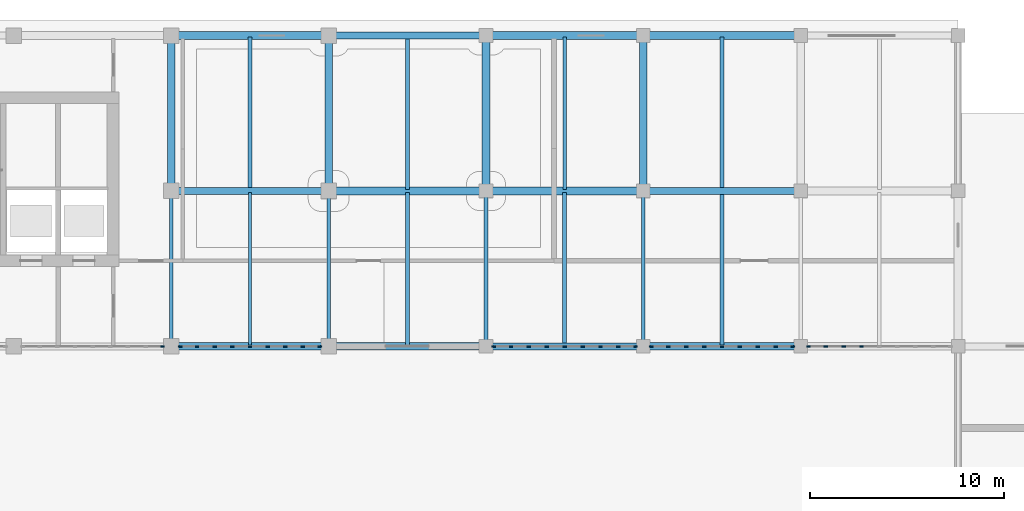
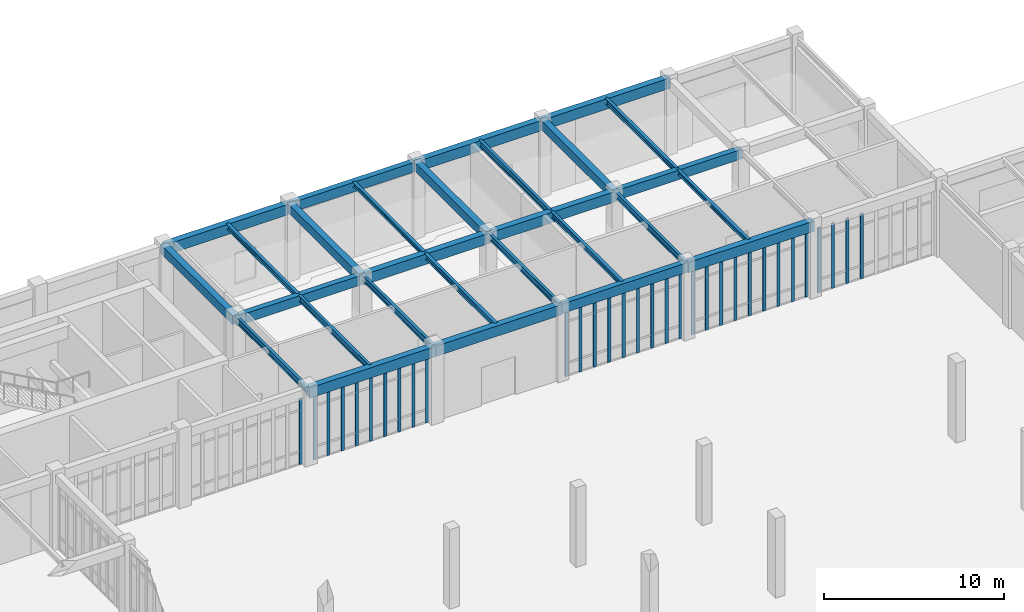
# One storey, part 17 of 62: 32 members, 28 beams, 5 elements without a shape of their own.
"""IFC4 building model written with IfcOpenShell, lengths in metres."""

from ifc_helpers import new_model, si_unit, direction, frame, origin, origin_2d, place, context, subcontext, project, spatial, rectangle, i_section, extrude, material, material_profile, profile_set, type_object, element, aggregate, save


model = new_model("IFC4")

# Units and contexts
model_context = context("Model", 3, precision=1e-05, world=origin(), true_north=direction((0.0, 1.0)))
body_context = subcontext(model_context, "Body", "Model", "MODEL_VIEW")
ifc_project = project(units=[si_unit("LENGTHUNIT", "METRE"), si_unit("AREAUNIT", "SQUARE_METRE"), si_unit("VOLUMEUNIT", "CUBIC_METRE"), si_unit("PLANEANGLEUNIT", "RADIAN"), si_unit("MASSUNIT", "GRAM", prefix="KILO")], contexts=[model_context])

# Site, building, storey
site_placement = place(None, origin())
site = spatial("IfcSite", under=ifc_project, at=site_placement, CompositionType="ELEMENT")
building_placement = place(site_placement, origin())
building = spatial("IfcBuilding", under=site, at=building_placement, Name="Tarnveldt Square Police Headquarters", CompositionType="ELEMENT")
storey_placement = place(building_placement, origin())
storey = spatial("IfcBuildingStorey", under=building, at=storey_placement, Name="L00", CompositionType="ELEMENT", Elevation=0.0)

# Beams
ifc_material_1 = material(Name="Concrete 40 MPa", Category="concrete")
ifc_material_profile_1 = material_profile(ifc_material_1, rectangle(XDim=0.39990234375, YDim=0.60009765625, at=origin_2d()), Name="RC-B400x600")
ifc_profile_set_1 = profile_set([ifc_material_profile_1], Name="Concrete 40 MPa")
beam_type_1 = type_object("IfcBeamType", Name="BM-RC400x600", PredefinedType="BEAM", material=ifc_profile_set_1)
for number, where, z_axis, x_axis, name in (
    (1, (64.800048828125, 104.0, 4.820068359375), (0.0, 1.0, 0.0), (-1.0, 0.0, 0.0), "L01 Grid Girder Y-0403"),
    (2, (72.89990234375, 104.0, 4.820068359375), (0.0, 1.0, 0.0), (-1.0, 0.0, 0.0), "L01 Grid Girder Y-0405"),
    (3, (81.0, 104.0, 4.820068359375), (0.0, 1.0, 0.0), (-1.0, 0.0, 0.0), "L01 Grid Girder Y-0407"),
    (4, (89.10009765625, 104.0, 4.820068359375), (0.0, 1.0, 0.0), (-1.0, 0.0, 0.0), "L01 Grid Girder Y-0409"),
):
    element("IfcBeam", number, at=place(storey_placement, frame(where, z_axis=z_axis, x_axis=x_axis)), inside=storey, type_object=beam_type_1, Name=name, PredefinedType="BEAM", context=body_context, shape_type="SweptSolid", body=[
        extrude(rectangle(XDim=0.39990234375, YDim=0.60009765625, at=origin_2d()), origin(), (0.0, 0.0, 1.0), 8.0),
    ])
ifc_material_profile_2 = material_profile(ifc_material_1, rectangle(XDim=0.39990234375, YDim=0.699951171875, at=origin_2d()), Name="RC-B400x700")
ifc_profile_set_2 = profile_set([ifc_material_profile_2], Name="Concrete 40 MPa")
beam_type_2 = type_object("IfcBeamType", Name="BM-RC400x700", PredefinedType="BEAM", material=ifc_profile_set_2)
beam_1_placement = place(storey_placement, frame((64.800048828125, 96.0, 4.77001953125), z_axis=(1.0, 0.0, 0.0), x_axis=(0.0, 1.0, 0.0)))
element("IfcBeam", 5, at=beam_1_placement, inside=storey, type_object=beam_type_2, Name="L01 Grid Girder X-0311", PredefinedType="BEAM", context=body_context, shape_type="SweptSolid", body=[
    extrude(rectangle(XDim=0.39990234375, YDim=0.699951171875, at=origin_2d()), origin(), (0.0, 0.0, 1.0), 8.099853515625),
])
beam_2_placement = place(storey_placement, frame((72.89990234375, 96.0, 4.77001953125), z_axis=(1.0, 0.0, 0.0), x_axis=(0.0, 1.0, 0.0)))
element("IfcBeam", 6, at=beam_2_placement, inside=storey, type_object=beam_type_2, Name="L01 Grid Girder X-0312", PredefinedType="BEAM", context=body_context, shape_type="SweptSolid", body=[
    extrude(rectangle(XDim=0.39990234375, YDim=0.699951171875, at=origin_2d()), origin(), (0.0, 0.0, 1.0), 8.10009765625),
])
beam_3_placement = place(storey_placement, frame((89.10009765625, 96.0, 4.77001953125), z_axis=(1.0, 0.0, 0.0), x_axis=(0.0, 1.0, 0.0)))
element("IfcBeam", 7, at=beam_3_placement, inside=storey, type_object=beam_type_2, Name="L01 Grid Girder X-0314", PredefinedType="BEAM", context=body_context, shape_type="SweptSolid", body=[
    extrude(rectangle(XDim=0.39990234375, YDim=0.699951171875, at=origin_2d()), origin(), (0.0, 0.0, 1.0), 8.099853515625),
])
for number, where, z_axis, x_axis, name in (
    (8, (72.89990234375, 104.0, 4.77001953125), (1.0, 0.0, 0.0), (0.0, 1.0, 0.0), "L01 Grid Girder X-0320"),
    (9, (81.0, 104.0, 4.77001953125), (1.0, 0.0, 0.0), (0.0, 1.0, 0.0), "L01 Grid Girder X-0321"),
):
    element("IfcBeam", number, at=place(storey_placement, frame(where, z_axis=z_axis, x_axis=x_axis)), inside=storey, type_object=beam_type_2, Name=name, PredefinedType="BEAM", context=body_context, shape_type="SweptSolid", body=[
        extrude(rectangle(XDim=0.39990234375, YDim=0.699951171875, at=origin_2d()), origin(), (0.0, 0.0, 1.0), 8.10009765625),
    ])
beam_4_placement = place(storey_placement, frame((64.800048828125, 112.0, 4.77001953125), z_axis=(1.0, 0.0, 0.0), x_axis=(0.0, 1.0, 0.0)))
element("IfcBeam", 10, at=beam_4_placement, inside=storey, type_object=beam_type_2, Name="L01 Grid Girder X-0330", PredefinedType="BEAM", context=body_context, shape_type="SweptSolid", body=[
    extrude(rectangle(XDim=0.39990234375, YDim=0.699951171875, at=origin_2d()), origin(), (0.0, 0.0, 1.0), 8.099853515625),
])
beam_5_placement = place(storey_placement, frame((81.0, 112.0, 4.77001953125), z_axis=(1.0, 0.0, 0.0), x_axis=(0.0, 1.0, 0.0)))
element("IfcBeam", 11, at=beam_5_placement, inside=storey, type_object=beam_type_2, Name="L01 Grid Girder X-0332", PredefinedType="BEAM", context=body_context, shape_type="SweptSolid", body=[
    extrude(rectangle(XDim=0.39990234375, YDim=0.699951171875, at=origin_2d()), origin(), (0.0, 0.0, 1.0), 8.10009765625),
])
beam_6_placement = place(storey_placement, frame((89.10009765625, 112.0, 4.77001953125), z_axis=(1.0, 0.0, 0.0), x_axis=(0.0, 1.0, 0.0)))
element("IfcBeam", 12, at=beam_6_placement, inside=storey, type_object=beam_type_2, Name="L01 Grid Girder X-0333", PredefinedType="BEAM", context=body_context, shape_type="SweptSolid", body=[
    extrude(rectangle(XDim=0.39990234375, YDim=0.699951171875, at=origin_2d()), origin(), (0.0, 0.0, 1.0), 8.099853515625),
])
ifc_material_profile_3 = material_profile(ifc_material_1, rectangle(XDim=0.35009765625, YDim=0.64990234375, at=origin_2d()), Name="RC-SP350x650")
ifc_profile_set_3 = profile_set([ifc_material_profile_3], Name="Concrete 40 MPa")
beam_type_3 = type_object("IfcBeamType", Name="BM-SP350x650", PredefinedType="SPANDREL", material=ifc_profile_set_3)
beam_7_placement = place(storey_placement, frame((81.0, 96.0, 4.794921875), z_axis=(1.0, 0.0, 0.0), x_axis=(0.0, 1.0, 0.0)))
element("IfcBeam", 13, at=beam_7_placement, inside=storey, type_object=beam_type_3, Name="L01 Grid Girder X-0313", PredefinedType="SPANDREL", context=body_context, shape_type="SweptSolid", body=[
    extrude(rectangle(XDim=0.35009765625, YDim=0.64990234375, at=origin_2d()), origin(), (0.0, 0.0, 1.0), 8.10009765625),
])
for number, where, z_axis, x_axis, name in (
    (14, (64.800048828125, 104.0, 4.794921875), (1.0, 0.0, 0.0), (0.0, 1.0, 0.0), "L01 Grid Girder X-0319"),
    (15, (89.10009765625, 104.0, 4.794921875), (1.0, 0.0, 0.0), (0.0, 1.0, 0.0), "L01 Grid Girder X-0322"),
):
    element("IfcBeam", number, at=place(storey_placement, frame(where, z_axis=z_axis, x_axis=x_axis)), inside=storey, type_object=beam_type_3, Name=name, PredefinedType="SPANDREL", context=body_context, shape_type="SweptSolid", body=[
        extrude(rectangle(XDim=0.35009765625, YDim=0.64990234375, at=origin_2d()), origin(), (0.0, 0.0, 1.0), 8.099853515625),
    ])
beam_8_placement = place(storey_placement, frame((72.89990234375, 112.0, 4.794921875), z_axis=(1.0, 0.0, 0.0), x_axis=(0.0, 1.0, 0.0)))
element("IfcBeam", 16, at=beam_8_placement, inside=storey, type_object=beam_type_3, Name="L01 Grid Girder X-0331", PredefinedType="SPANDREL", context=body_context, shape_type="SweptSolid", body=[
    extrude(rectangle(XDim=0.35009765625, YDim=0.64990234375, at=origin_2d()), origin(), (0.0, 0.0, 1.0), 8.10009765625),
])
ifc_material_2 = material(Name="Steel 350W", Category="steel")
ifc_material_profile_4 = material_profile(ifc_material_2, i_section(OverallWidth=0.202880859375, OverallDepth=0.302978515625, WebThickness=0.007568359375, FlangeThickness=0.01318359375, FilletRadius=0.014892578125, at=origin_2d()), Name="W310x60")
ifc_profile_set_4 = profile_set([ifc_material_profile_4], Name="Steel 350W")
beam_type_4 = type_object("IfcBeamType", Name="BM-W310x60", PredefinedType="JOIST", material=ifc_profile_set_4)
for number, where, z_axis, x_axis, name in (
    (17, (93.14990234375, 96.080078125, 4.968505859375), (0.0, 1.0, 0.0), (-1.0, 0.0, 0.0), "L01 Secondary Floor Joist 0088"),
    (18, (76.949951171875, 104.080078125, 4.968505859375), (0.0, 1.0, 0.0), (-1.0, 0.0, 0.0), "L01 Secondary Floor Joist 0092"),
):
    element("IfcBeam", number, at=place(storey_placement, frame(where, z_axis=z_axis, x_axis=x_axis)), inside=storey, type_object=beam_type_4, Name=name, PredefinedType="JOIST", context=body_context, shape_type="SweptSolid", body=[
        extrude(i_section(OverallWidth=0.202880859375, OverallDepth=0.302978515625, WebThickness=0.007568359375, FlangeThickness=0.01318359375, FilletRadius=0.014892578125, at=origin_2d()), origin(), (0.0, 0.0, 1.0), 7.83984375),
    ])
ifc_material_profile_5 = material_profile(ifc_material_2, i_section(OverallWidth=0.202880859375, OverallDepth=0.346923828125, WebThickness=0.0078125, FlangeThickness=0.013427734375, FilletRadius=0.01611328125, at=origin_2d()), Name="W360x64")
ifc_profile_set_5 = profile_set([ifc_material_profile_5], Name="Steel 350W")
beam_type_5 = type_object("IfcBeamType", Name="BM-W360x64", PredefinedType="JOIST", material=ifc_profile_set_5)
for number, where, z_axis, x_axis, name in (
    (19, (85.050048828125, 96.080078125, 4.946533203125), (0.0, 1.0, 0.0), (-1.0, 0.0, 0.0), "L01 Secondary Floor Joist 0087"),
    (20, (68.85009765625, 104.080078125, 4.946533203125), (0.0, 1.0, 0.0), (-1.0, 0.0, 0.0), "L01 Secondary Floor Joist 0091"),
):
    element("IfcBeam", number, at=place(storey_placement, frame(where, z_axis=z_axis, x_axis=x_axis)), inside=storey, type_object=beam_type_5, Name=name, PredefinedType="JOIST", context=body_context, shape_type="SweptSolid", body=[
        extrude(i_section(OverallWidth=0.202880859375, OverallDepth=0.346923828125, WebThickness=0.0078125, FlangeThickness=0.013427734375, FilletRadius=0.01611328125, at=origin_2d()), origin(), (0.0, 0.0, 1.0), 7.83984375),
    ])
ifc_material_profile_6 = material_profile(ifc_material_2, i_section(OverallWidth=0.205078125, OverallDepth=0.35400390625, WebThickness=0.009521484375, FlangeThickness=0.016845703125, FilletRadius=0.01611328125, at=origin_2d()), Name="W360x79")
ifc_profile_set_6 = profile_set([ifc_material_profile_6], Name="Steel 350W")
beam_type_6 = type_object("IfcBeamType", Name="BM-W360x79", PredefinedType="JOIST", material=ifc_profile_set_6)
for number, where, z_axis, x_axis, name in (
    (21, (76.949951171875, 96.080078125, 4.943115234375), (0.0, 1.0, 0.0), (-1.0, 0.0, 0.0), "L01 Secondary Floor Joist 0086"),
    (22, (93.14990234375, 104.080078125, 4.943115234375), (0.0, 1.0, 0.0), (-1.0, 0.0, 0.0), "L01 Secondary Floor Joist 0094"),
):
    element("IfcBeam", number, at=place(storey_placement, frame(where, z_axis=z_axis, x_axis=x_axis)), inside=storey, type_object=beam_type_6, Name=name, PredefinedType="JOIST", context=body_context, shape_type="SweptSolid", body=[
        extrude(i_section(OverallWidth=0.205078125, OverallDepth=0.35400390625, WebThickness=0.009521484375, FlangeThickness=0.016845703125, FilletRadius=0.01611328125, at=origin_2d()), origin(), (0.0, 0.0, 1.0), 7.83984375),
    ])
ifc_material_profile_7 = material_profile(ifc_material_2, i_section(OverallWidth=0.177978515625, OverallDepth=0.406982421875, WebThickness=0.0078125, FlangeThickness=0.0126953125, FilletRadius=0.01611328125, at=origin_2d()), Name="W410x60")
ifc_profile_set_7 = profile_set([ifc_material_profile_7], Name="Steel 350W")
beam_type_7 = type_object("IfcBeamType", Name="BM-W410x60", PredefinedType="JOIST", material=ifc_profile_set_7)
for number, where, z_axis, x_axis, name in (
    (23, (68.85009765625, 96.080078125, 4.91650390625), (0.0, 1.0, 0.0), (-1.0, 0.0, 0.0), "L01 Secondary Floor Joist 0085"),
    (24, (85.050048828125, 104.080078125, 4.91650390625), (0.0, 1.0, 0.0), (-1.0, 0.0, 0.0), "L01 Secondary Floor Joist 0093"),
):
    element("IfcBeam", number, at=place(storey_placement, frame(where, z_axis=z_axis, x_axis=x_axis)), inside=storey, type_object=beam_type_7, Name=name, PredefinedType="JOIST", context=body_context, shape_type="SweptSolid", body=[
        extrude(i_section(OverallWidth=0.177978515625, OverallDepth=0.406982421875, WebThickness=0.0078125, FlangeThickness=0.0126953125, FilletRadius=0.01611328125, at=origin_2d()), origin(), (0.0, 0.0, 1.0), 7.83984375),
    ])
ifc_material_profile_8 = material_profile(ifc_material_2, i_section(OverallWidth=0.180908203125, OverallDepth=0.4169921875, WebThickness=0.010986328125, FlangeThickness=0.018310546875, FilletRadius=0.01611328125, at=origin_2d()), Name="W410x85")
ifc_profile_set_8 = profile_set([ifc_material_profile_8], Name="Steel 350W")
beam_type_8 = type_object("IfcBeamType", Name="BM-W410x85", PredefinedType="BEAM", material=ifc_profile_set_8)
for number, where, z_axis, x_axis, name in (
    (25, (64.800048828125, 96.0, 4.91162109375), (0.0, 1.0, 0.0), (-1.0, 0.0, 0.0), "L01 Grid Girder Y-0402"),
    (26, (72.89990234375, 96.0, 4.91162109375), (0.0, 1.0, 0.0), (-1.0, 0.0, 0.0), "L01 Grid Girder Y-0404"),
    (27, (81.0, 96.0, 4.91162109375), (0.0, 1.0, 0.0), (-1.0, 0.0, 0.0), "L01 Grid Girder Y-0406"),
    (28, (89.10009765625, 96.0, 4.91162109375), (0.0, 1.0, 0.0), (-1.0, 0.0, 0.0), "L01 Grid Girder Y-0408"),
):
    element("IfcBeam", number, at=place(storey_placement, frame(where, z_axis=z_axis, x_axis=x_axis)), inside=storey, type_object=beam_type_8, Name=name, PredefinedType="BEAM", context=body_context, shape_type="SweptSolid", body=[
        extrude(i_section(OverallWidth=0.180908203125, OverallDepth=0.4169921875, WebThickness=0.010986328125, FlangeThickness=0.018310546875, FilletRadius=0.01611328125, at=origin_2d()), origin(), (0.0, 0.0, 1.0), 8.0),
    ])

# Curtain wall, member
ifc_material_3 = material(Name="Triple-glazed low-e laminated vision glass", Category="glass")
curtain_wall_type_1 = type_object("IfcCurtainWallType", Name="CW-LB-727x446", PredefinedType="USERDEFINED", material=ifc_material_3)
curtain_wall_1_placement = place(storey_placement, origin())
curtain_wall_1 = element("IfcCurtainWall", 29, at=curtain_wall_1_placement, inside=storey, type_object=curtain_wall_type_1, Name="L00 Curtain Wall CW-L00-100", ObjectType="GLAZED CURTAIN WALL", PredefinedType="USERDEFINED")
ifc_material_4 = material(Name="Thermally broken anodised aluminium 6063-T6", Category="aluminium")
ifc_material_profile_9 = material_profile(ifc_material_4, rectangle(XDim=0.074951171875, YDim=0.199951171875, at=origin_2d()), Name="CW-M75x200")
ifc_profile_set_9 = profile_set([ifc_material_profile_9], Name="Thermally broken anodised aluminium 6063-T6")
member_type = type_object("IfcMemberType", Name="CWM-75x200", PredefinedType="MULLION", material=ifc_profile_set_9)
member_1_placement = place(storey_placement, frame((64.347412109375, 96.0, 0.0), z_axis=(0.0, 0.0, 1.0), x_axis=(0.0, 1.0, 0.0)))
member_1 = element("IfcMember", 30, at=member_1_placement, type_object=member_type, Name="CW-LB57 mullion 9", PredefinedType="MULLION", context=body_context, shape_type="SweptSolid", body=[
    extrude(rectangle(XDim=0.074951171875, YDim=0.199951171875, at=origin_2d()), origin(), (0.0, 0.0, 1.0), 4.4619140625),
])
aggregate(curtain_wall_1, [member_1])

# Curtain wall, members
curtain_wall_type_2 = type_object("IfcCurtainWallType", Name="CW-LB-727x441", PredefinedType="USERDEFINED", material=ifc_material_3)
curtain_wall_2_placement = place(storey_placement, origin())
curtain_wall_2 = element("IfcCurtainWall", 31, at=curtain_wall_2_placement, inside=storey, type_object=curtain_wall_type_2, Name="L00 Curtain Wall CW-L00-101", ObjectType="GLAZED CURTAIN WALL", PredefinedType="USERDEFINED")
member_2_placement = place(storey_placement, frame((65.25244140625, 96.0, 0.0), z_axis=(0.0, 0.0, 1.0), x_axis=(0.0, 1.0, 0.0)))
member_2 = element("IfcMember", 32, at=member_2_placement, type_object=member_type, Name="CW-LB56 mullion 1", PredefinedType="MULLION", context=body_context, shape_type="SweptSolid", body=[
    extrude(rectangle(XDim=0.074951171875, YDim=0.199951171875, at=origin_2d()), origin(), (0.0, 0.0, 1.0), 4.412109375),
])
member_3_placement = place(storey_placement, frame((66.123779296875, 96.0, 0.0), z_axis=(0.0, 0.0, 1.0), x_axis=(0.0, 1.0, 0.0)))
member_3 = element("IfcMember", 33, at=member_3_placement, type_object=member_type, Name="CW-LB56 mullion 2", PredefinedType="MULLION", context=body_context, shape_type="SweptSolid", body=[
    extrude(rectangle(XDim=0.074951171875, YDim=0.199951171875, at=origin_2d()), origin(), (0.0, 0.0, 1.0), 4.412109375),
])
member_4_placement = place(storey_placement, frame((67.032470703125, 96.0, 0.0), z_axis=(0.0, 0.0, 1.0), x_axis=(0.0, 1.0, 0.0)))
member_4 = element("IfcMember", 34, at=member_4_placement, type_object=member_type, Name="CW-LB56 mullion 3", PredefinedType="MULLION", context=body_context, shape_type="SweptSolid", body=[
    extrude(rectangle(XDim=0.074951171875, YDim=0.199951171875, at=origin_2d()), origin(), (0.0, 0.0, 1.0), 4.412109375),
])
member_5_placement = place(storey_placement, frame((67.941162109375, 96.0, 0.0), z_axis=(0.0, 0.0, 1.0), x_axis=(0.0, 1.0, 0.0)))
member_5 = element("IfcMember", 35, at=member_5_placement, type_object=member_type, Name="CW-LB56 mullion 4", PredefinedType="MULLION", context=body_context, shape_type="SweptSolid", body=[
    extrude(rectangle(XDim=0.074951171875, YDim=0.199951171875, at=origin_2d()), origin(), (0.0, 0.0, 1.0), 4.412109375),
])
member_6_placement = place(storey_placement, frame((68.85009765625, 96.0, 0.0), z_axis=(0.0, 0.0, 1.0), x_axis=(0.0, 1.0, 0.0)))
member_6 = element("IfcMember", 36, at=member_6_placement, type_object=member_type, Name="CW-LB56 mullion 5", PredefinedType="MULLION", context=body_context, shape_type="SweptSolid", body=[
    extrude(rectangle(XDim=0.074951171875, YDim=0.199951171875, at=origin_2d()), origin(), (0.0, 0.0, 1.0), 4.412109375),
])
member_7_placement = place(storey_placement, frame((69.7587890625, 96.0, 0.0), z_axis=(0.0, 0.0, 1.0), x_axis=(0.0, 1.0, 0.0)))
member_7 = element("IfcMember", 37, at=member_7_placement, type_object=member_type, Name="CW-LB56 mullion 6", PredefinedType="MULLION", context=body_context, shape_type="SweptSolid", body=[
    extrude(rectangle(XDim=0.074951171875, YDim=0.199951171875, at=origin_2d()), origin(), (0.0, 0.0, 1.0), 4.412109375),
])
member_8_placement = place(storey_placement, frame((70.66748046875, 96.0, 0.0), z_axis=(0.0, 0.0, 1.0), x_axis=(0.0, 1.0, 0.0)))
member_8 = element("IfcMember", 38, at=member_8_placement, type_object=member_type, Name="CW-LB56 mullion 7", PredefinedType="MULLION", context=body_context, shape_type="SweptSolid", body=[
    extrude(rectangle(XDim=0.074951171875, YDim=0.199951171875, at=origin_2d()), origin(), (0.0, 0.0, 1.0), 4.412109375),
])
member_9_placement = place(storey_placement, frame((71.576171875, 96.0, 0.0), z_axis=(0.0, 0.0, 1.0), x_axis=(0.0, 1.0, 0.0)))
member_9 = element("IfcMember", 39, at=member_9_placement, type_object=member_type, Name="CW-LB56 mullion 8", PredefinedType="MULLION", context=body_context, shape_type="SweptSolid", body=[
    extrude(rectangle(XDim=0.074951171875, YDim=0.199951171875, at=origin_2d()), origin(), (0.0, 0.0, 1.0), 4.412109375),
])
member_10_placement = place(storey_placement, frame((72.447509765625, 96.0, 0.0), z_axis=(0.0, 0.0, 1.0), x_axis=(0.0, 1.0, 0.0)))
member_10 = element("IfcMember", 40, at=member_10_placement, type_object=member_type, Name="CW-LB56 mullion 9", PredefinedType="MULLION", context=body_context, shape_type="SweptSolid", body=[
    extrude(rectangle(XDim=0.074951171875, YDim=0.199951171875, at=origin_2d()), origin(), (0.0, 0.0, 1.0), 4.412109375),
])
aggregate(curtain_wall_2, [member_2, member_3, member_4, member_5, member_6, member_7, member_8, member_9, member_10])

curtain_wall_type_3 = type_object("IfcCurtainWallType", Name="CW-LB-737x446", PredefinedType="USERDEFINED", material=ifc_material_3)
curtain_wall_3_placement = place(storey_placement, origin())
curtain_wall_3 = element("IfcCurtainWall", 41, at=curtain_wall_3_placement, inside=storey, type_object=curtain_wall_type_3, Name="L00 Curtain Wall CW-L00-102", ObjectType="GLAZED CURTAIN WALL", PredefinedType="USERDEFINED")
member_11_placement = place(storey_placement, frame((81.402587890625, 96.0, 0.0), z_axis=(0.0, 0.0, 1.0), x_axis=(0.0, 1.0, 0.0)))
member_11 = element("IfcMember", 42, at=member_11_placement, type_object=member_type, Name="CW-LB58 mullion 1", PredefinedType="MULLION", context=body_context, shape_type="SweptSolid", body=[
    extrude(rectangle(XDim=0.074951171875, YDim=0.199951171875, at=origin_2d()), origin(), (0.0, 0.0, 1.0), 4.4619140625),
])
member_12_placement = place(storey_placement, frame((82.2861328125, 96.0, 0.0), z_axis=(0.0, 0.0, 1.0), x_axis=(0.0, 1.0, 0.0)))
member_12 = element("IfcMember", 43, at=member_12_placement, type_object=member_type, Name="CW-LB58 mullion 2", PredefinedType="MULLION", context=body_context, shape_type="SweptSolid", body=[
    extrude(rectangle(XDim=0.074951171875, YDim=0.199951171875, at=origin_2d()), origin(), (0.0, 0.0, 1.0), 4.4619140625),
])
member_13_placement = place(storey_placement, frame((83.20751953125, 96.0, 0.0), z_axis=(0.0, 0.0, 1.0), x_axis=(0.0, 1.0, 0.0)))
member_13 = element("IfcMember", 44, at=member_13_placement, type_object=member_type, Name="CW-LB58 mullion 3", PredefinedType="MULLION", context=body_context, shape_type="SweptSolid", body=[
    extrude(rectangle(XDim=0.074951171875, YDim=0.199951171875, at=origin_2d()), origin(), (0.0, 0.0, 1.0), 4.4619140625),
])
member_14_placement = place(storey_placement, frame((84.128662109375, 96.0, 0.0), z_axis=(0.0, 0.0, 1.0), x_axis=(0.0, 1.0, 0.0)))
member_14 = element("IfcMember", 45, at=member_14_placement, type_object=member_type, Name="CW-LB58 mullion 4", PredefinedType="MULLION", context=body_context, shape_type="SweptSolid", body=[
    extrude(rectangle(XDim=0.074951171875, YDim=0.199951171875, at=origin_2d()), origin(), (0.0, 0.0, 1.0), 4.4619140625),
])
member_15_placement = place(storey_placement, frame((85.050048828125, 96.0, 0.0), z_axis=(0.0, 0.0, 1.0), x_axis=(0.0, 1.0, 0.0)))
member_15 = element("IfcMember", 46, at=member_15_placement, type_object=member_type, Name="CW-LB58 mullion 5", PredefinedType="MULLION", context=body_context, shape_type="SweptSolid", body=[
    extrude(rectangle(XDim=0.074951171875, YDim=0.199951171875, at=origin_2d()), origin(), (0.0, 0.0, 1.0), 4.4619140625),
])
member_16_placement = place(storey_placement, frame((85.97119140625, 96.0, 0.0), z_axis=(0.0, 0.0, 1.0), x_axis=(0.0, 1.0, 0.0)))
member_16 = element("IfcMember", 47, at=member_16_placement, type_object=member_type, Name="CW-LB58 mullion 6", PredefinedType="MULLION", context=body_context, shape_type="SweptSolid", body=[
    extrude(rectangle(XDim=0.074951171875, YDim=0.199951171875, at=origin_2d()), origin(), (0.0, 0.0, 1.0), 4.4619140625),
])
member_17_placement = place(storey_placement, frame((86.892578125, 96.0, 0.0), z_axis=(0.0, 0.0, 1.0), x_axis=(0.0, 1.0, 0.0)))
member_17 = element("IfcMember", 48, at=member_17_placement, type_object=member_type, Name="CW-LB58 mullion 7", PredefinedType="MULLION", context=body_context, shape_type="SweptSolid", body=[
    extrude(rectangle(XDim=0.074951171875, YDim=0.199951171875, at=origin_2d()), origin(), (0.0, 0.0, 1.0), 4.4619140625),
])
member_18_placement = place(storey_placement, frame((87.813720703125, 96.0, 0.0), z_axis=(0.0, 0.0, 1.0), x_axis=(0.0, 1.0, 0.0)))
member_18 = element("IfcMember", 49, at=member_18_placement, type_object=member_type, Name="CW-LB58 mullion 8", PredefinedType="MULLION", context=body_context, shape_type="SweptSolid", body=[
    extrude(rectangle(XDim=0.074951171875, YDim=0.199951171875, at=origin_2d()), origin(), (0.0, 0.0, 1.0), 4.4619140625),
])
member_19_placement = place(storey_placement, frame((88.697509765625, 96.0, 0.0), z_axis=(0.0, 0.0, 1.0), x_axis=(0.0, 1.0, 0.0)))
member_19 = element("IfcMember", 50, at=member_19_placement, type_object=member_type, Name="CW-LB58 mullion 9", PredefinedType="MULLION", context=body_context, shape_type="SweptSolid", body=[
    extrude(rectangle(XDim=0.074951171875, YDim=0.199951171875, at=origin_2d()), origin(), (0.0, 0.0, 1.0), 4.4619140625),
])
aggregate(curtain_wall_3, [member_11, member_12, member_13, member_14, member_15, member_16, member_17, member_18, member_19])

curtain_wall_type_4 = type_object("IfcCurtainWallType", Name="CW-LB-737x441", PredefinedType="USERDEFINED", material=ifc_material_3)
curtain_wall_4_placement = place(storey_placement, origin())
curtain_wall_4 = element("IfcCurtainWall", 51, at=curtain_wall_4_placement, inside=storey, type_object=curtain_wall_type_4, Name="L00 Curtain Wall CW-L00-103", ObjectType="GLAZED CURTAIN WALL", PredefinedType="USERDEFINED")
member_20_placement = place(storey_placement, frame((89.50244140625, 96.0, 0.0), z_axis=(0.0, 0.0, 1.0), x_axis=(0.0, 1.0, 0.0)))
member_20 = element("IfcMember", 52, at=member_20_placement, type_object=member_type, Name="CW-LB59 mullion 1", PredefinedType="MULLION", context=body_context, shape_type="SweptSolid", body=[
    extrude(rectangle(XDim=0.074951171875, YDim=0.199951171875, at=origin_2d()), origin(), (0.0, 0.0, 1.0), 4.412109375),
])
member_21_placement = place(storey_placement, frame((90.38623046875, 96.0, 0.0), z_axis=(0.0, 0.0, 1.0), x_axis=(0.0, 1.0, 0.0)))
member_21 = element("IfcMember", 53, at=member_21_placement, type_object=member_type, Name="CW-LB59 mullion 2", PredefinedType="MULLION", context=body_context, shape_type="SweptSolid", body=[
    extrude(rectangle(XDim=0.074951171875, YDim=0.199951171875, at=origin_2d()), origin(), (0.0, 0.0, 1.0), 4.412109375),
])
member_22_placement = place(storey_placement, frame((91.3076171875, 96.0, 0.0), z_axis=(0.0, 0.0, 1.0), x_axis=(0.0, 1.0, 0.0)))
member_22 = element("IfcMember", 54, at=member_22_placement, type_object=member_type, Name="CW-LB59 mullion 3", PredefinedType="MULLION", context=body_context, shape_type="SweptSolid", body=[
    extrude(rectangle(XDim=0.074951171875, YDim=0.199951171875, at=origin_2d()), origin(), (0.0, 0.0, 1.0), 4.412109375),
])
member_23_placement = place(storey_placement, frame((92.228759765625, 96.0, 0.0), z_axis=(0.0, 0.0, 1.0), x_axis=(0.0, 1.0, 0.0)))
member_23 = element("IfcMember", 55, at=member_23_placement, type_object=member_type, Name="CW-LB59 mullion 4", PredefinedType="MULLION", context=body_context, shape_type="SweptSolid", body=[
    extrude(rectangle(XDim=0.074951171875, YDim=0.199951171875, at=origin_2d()), origin(), (0.0, 0.0, 1.0), 4.412109375),
])
member_24_placement = place(storey_placement, frame((93.14990234375, 96.0, 0.0), z_axis=(0.0, 0.0, 1.0), x_axis=(0.0, 1.0, 0.0)))
member_24 = element("IfcMember", 56, at=member_24_placement, type_object=member_type, Name="CW-LB59 mullion 5", PredefinedType="MULLION", context=body_context, shape_type="SweptSolid", body=[
    extrude(rectangle(XDim=0.074951171875, YDim=0.199951171875, at=origin_2d()), origin(), (0.0, 0.0, 1.0), 4.412109375),
])
member_25_placement = place(storey_placement, frame((94.0712890625, 96.0, 0.0), z_axis=(0.0, 0.0, 1.0), x_axis=(0.0, 1.0, 0.0)))
member_25 = element("IfcMember", 57, at=member_25_placement, type_object=member_type, Name="CW-LB59 mullion 6", PredefinedType="MULLION", context=body_context, shape_type="SweptSolid", body=[
    extrude(rectangle(XDim=0.074951171875, YDim=0.199951171875, at=origin_2d()), origin(), (0.0, 0.0, 1.0), 4.412109375),
])
member_26_placement = place(storey_placement, frame((94.992431640625, 96.0, 0.0), z_axis=(0.0, 0.0, 1.0), x_axis=(0.0, 1.0, 0.0)))
member_26 = element("IfcMember", 58, at=member_26_placement, type_object=member_type, Name="CW-LB59 mullion 7", PredefinedType="MULLION", context=body_context, shape_type="SweptSolid", body=[
    extrude(rectangle(XDim=0.074951171875, YDim=0.199951171875, at=origin_2d()), origin(), (0.0, 0.0, 1.0), 4.412109375),
])
member_27_placement = place(storey_placement, frame((95.913818359375, 96.0, 0.0), z_axis=(0.0, 0.0, 1.0), x_axis=(0.0, 1.0, 0.0)))
member_27 = element("IfcMember", 59, at=member_27_placement, type_object=member_type, Name="CW-LB59 mullion 8", PredefinedType="MULLION", context=body_context, shape_type="SweptSolid", body=[
    extrude(rectangle(XDim=0.074951171875, YDim=0.199951171875, at=origin_2d()), origin(), (0.0, 0.0, 1.0), 4.412109375),
])
member_28_placement = place(storey_placement, frame((96.797607421875, 96.0, 0.0), z_axis=(0.0, 0.0, 1.0), x_axis=(0.0, 1.0, 0.0)))
member_28 = element("IfcMember", 60, at=member_28_placement, type_object=member_type, Name="CW-LB59 mullion 9", PredefinedType="MULLION", context=body_context, shape_type="SweptSolid", body=[
    extrude(rectangle(XDim=0.074951171875, YDim=0.199951171875, at=origin_2d()), origin(), (0.0, 0.0, 1.0), 4.412109375),
])
aggregate(curtain_wall_4, [member_20, member_21, member_22, member_23, member_24, member_25, member_26, member_27, member_28])

curtain_wall_5_placement = place(storey_placement, origin())
curtain_wall_5 = element("IfcCurtainWall", 61, at=curtain_wall_5_placement, inside=storey, type_object=curtain_wall_type_4, Name="L00 Curtain Wall CW-L00-104", ObjectType="GLAZED CURTAIN WALL", PredefinedType="USERDEFINED")
member_29_placement = place(storey_placement, frame((97.6025390625, 96.0, 0.0), z_axis=(0.0, 0.0, 1.0), x_axis=(0.0, 1.0, 0.0)))
member_29 = element("IfcMember", 62, at=member_29_placement, type_object=member_type, Name="CW-LB59 mullion 1", PredefinedType="MULLION", context=body_context, shape_type="SweptSolid", body=[
    extrude(rectangle(XDim=0.074951171875, YDim=0.199951171875, at=origin_2d()), origin(), (0.0, 0.0, 1.0), 4.412109375),
])
member_30_placement = place(storey_placement, frame((98.486328125, 96.0, 0.0), z_axis=(0.0, 0.0, 1.0), x_axis=(0.0, 1.0, 0.0)))
member_30 = element("IfcMember", 63, at=member_30_placement, type_object=member_type, Name="CW-LB59 mullion 2", PredefinedType="MULLION", context=body_context, shape_type="SweptSolid", body=[
    extrude(rectangle(XDim=0.074951171875, YDim=0.199951171875, at=origin_2d()), origin(), (0.0, 0.0, 1.0), 4.412109375),
])
member_31_placement = place(storey_placement, frame((99.407470703125, 96.0, 0.0), z_axis=(0.0, 0.0, 1.0), x_axis=(0.0, 1.0, 0.0)))
member_31 = element("IfcMember", 64, at=member_31_placement, type_object=member_type, Name="CW-LB59 mullion 3", PredefinedType="MULLION", context=body_context, shape_type="SweptSolid", body=[
    extrude(rectangle(XDim=0.074951171875, YDim=0.199951171875, at=origin_2d()), origin(), (0.0, 0.0, 1.0), 4.412109375),
])
member_32_placement = place(storey_placement, frame((100.328857421875, 96.0, 0.0), z_axis=(0.0, 0.0, 1.0), x_axis=(0.0, 1.0, 0.0)))
member_32 = element("IfcMember", 65, at=member_32_placement, type_object=member_type, Name="CW-LB59 mullion 4", PredefinedType="MULLION", context=body_context, shape_type="SweptSolid", body=[
    extrude(rectangle(XDim=0.074951171875, YDim=0.199951171875, at=origin_2d()), origin(), (0.0, 0.0, 1.0), 4.412109375),
])
aggregate(curtain_wall_5, [member_29, member_30, member_31, member_32])

save(model, "model.ifc")
